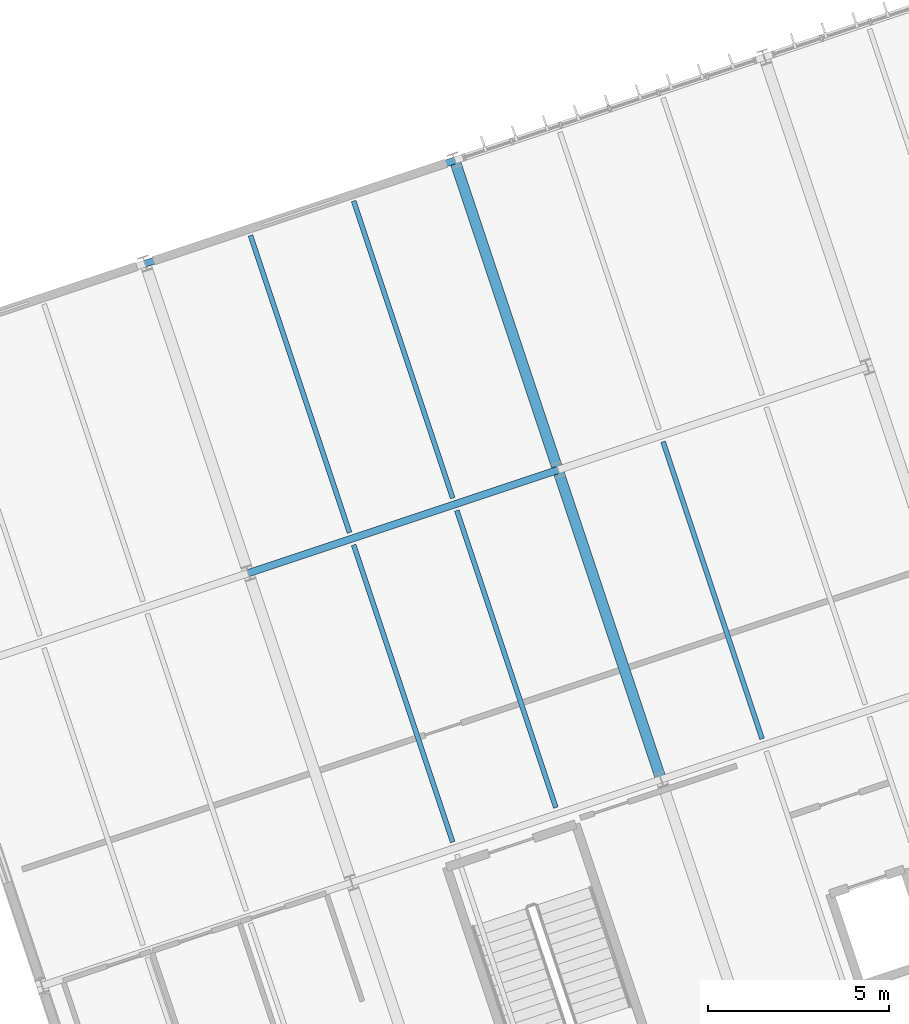
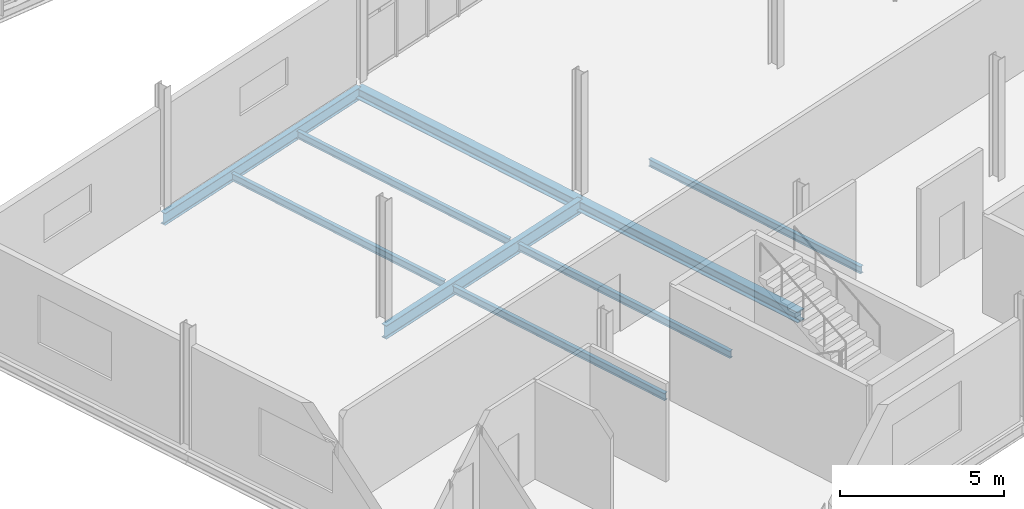
# One storey, part 33 of 152: 9 beams.
"""IFC4 building model written with IfcOpenShell, lengths in metres."""

from ifc_helpers import new_model, si_unit, derived_unit, direction, frame, origin, origin_2d, place, context, subcontext, project, spatial, i_section, extrude, material, material_profile, profile_set, type_object, element, save


model = new_model("IFC4")

# Units and contexts
model_context = context("Model", 3, precision=1e-05, world=origin(), true_north=direction((0.0, 1.0)))
body_context = subcontext(model_context, "Body", "Model", "MODEL_VIEW")
ifc_project = project(units=[si_unit("LENGTHUNIT", "METRE"), si_unit("AREAUNIT", "SQUARE_METRE"), si_unit("VOLUMEUNIT", "CUBIC_METRE"), si_unit("PLANEANGLEUNIT", "RADIAN"), si_unit("MASSUNIT", "GRAM", prefix="KILO"), si_unit("THERMODYNAMICTEMPERATUREUNIT", "KELVIN"), si_unit("TIMEUNIT", "SECOND"), derived_unit("THERMALTRANSMITTANCEUNIT", [(si_unit("MASSUNIT", "GRAM", prefix="KILO"), 1), (si_unit("THERMODYNAMICTEMPERATUREUNIT", "KELVIN"), -1), (si_unit("TIMEUNIT", "SECOND"), -3)])], contexts=[model_context])

# Site, building, storey
site_placement = place(None, origin())
site = spatial("IfcSite", under=ifc_project, at=site_placement, CompositionType="ELEMENT")
building_placement = place(site_placement, origin())
building = spatial("IfcBuilding", under=site, at=building_placement, Name="Cambertide Market Hall", CompositionType="ELEMENT")
storey_placement = place(building_placement, frame((0.0, 0.0, 5.39990234375)))
storey = spatial("IfcBuildingStorey", under=building, at=storey_placement, Name="L02", CompositionType="ELEMENT", Elevation=5.39990234375)

# Beams
ifc_material_1 = material(Name="Steel S355", Category="steel")
ifc_material_profile_1 = material_profile(ifc_material_1, i_section(OverallWidth=0.18994140625, OverallDepth=0.449951171875, WebThickness=0.009521484375, FlangeThickness=0.0146484375, FilletRadius=0.02099609375, at=origin_2d()), Name="IPE 450")
ifc_profile_set_1 = profile_set([ifc_material_profile_1], Name="Steel S355")
beam_type_1 = type_object("IfcBeamType", Name="Perimeter Spandrel Beam IPE 450", PredefinedType="SPANDREL", material=ifc_profile_set_1)
beam_1_placement = place(storey_placement, frame((106.0, 40.46044921875, -0.474853515625), z_axis=(0.948677872554, 0.31624404204, 0.0), x_axis=(-0.31624404204, 0.948677872554, 0.0)))
element("IfcBeam", 1, at=beam_1_placement, inside=storey, type_object=beam_type_1, Name="Level 2 Spandrel BM-V3U-L02-2-4", PredefinedType="SPANDREL", context=body_context, shape_type="SweptSolid", body=[
    extrude(i_section(OverallWidth=0.18994140625, OverallDepth=0.449951171875, WebThickness=0.009521484375, FlangeThickness=0.0146484375, FilletRadius=0.02099609375, at=origin_2d()), origin(), (0.0, 0.0, 1.0), 9.0),
])
ifc_material_2 = material(Name="Steel S355", Category="steel")
ifc_material_profile_2 = material_profile(ifc_material_2, i_section(OverallWidth=0.300048828125, OverallDepth=0.39990234375, WebThickness=0.013427734375, FlangeThickness=0.02392578125, FilletRadius=0.027099609375, at=origin_2d()), Name="HEB 400")
ifc_profile_set_2 = profile_set([ifc_material_profile_2], Name="Steel S355")
beam_type_2 = type_object("IfcBeamType", Name="Steel Girder HEB 400", PredefinedType="BEAM", material=ifc_profile_set_2)
beam_2_placement = place(storey_placement, frame((120.230224609375, 26.230224609375, -0.449951171875), z_axis=(-0.3162196279, 0.948686010717, 0.0), x_axis=(-0.948686010717, -0.3162196279, 0.0)))
element("IfcBeam", 2, at=beam_2_placement, inside=storey, type_object=beam_type_2, Name="Level 2 Beam BM-V3V-L02-3-2", PredefinedType="BEAM", context=body_context, shape_type="SweptSolid", body=[
    extrude(i_section(OverallWidth=0.300048828125, OverallDepth=0.39990234375, WebThickness=0.013427734375, FlangeThickness=0.02392578125, FilletRadius=0.027099609375, at=origin_2d()), origin(), (0.0, 0.0, 1.0), 9.0),
])
beam_3_placement = place(storey_placement, frame((117.38427734375, 34.768310546875, -0.449951171875), z_axis=(-0.316235903831, 0.948680585407, 0.0), x_axis=(-0.948680585407, -0.316235903831, 0.0)))
element("IfcBeam", 3, at=beam_3_placement, inside=storey, type_object=beam_type_2, Name="Level 2 Beam BM-V3V-L02-3-3", PredefinedType="BEAM", context=body_context, shape_type="SweptSolid", body=[
    extrude(i_section(OverallWidth=0.300048828125, OverallDepth=0.39990234375, WebThickness=0.013427734375, FlangeThickness=0.02392578125, FilletRadius=0.027099609375, at=origin_2d()), origin(), (0.0, 0.0, 1.0), 9.000244140625),
])
ifc_material_3 = material(Name="Steel S355", Category="steel")
ifc_material_profile_3 = material_profile(ifc_material_3, i_section(OverallWidth=0.199951171875, OverallDepth=0.5, WebThickness=0.01025390625, FlangeThickness=0.01611328125, FilletRadius=0.02099609375, at=origin_2d()), Name="IPE 500")
ifc_profile_set_3 = profile_set([ifc_material_profile_3], Name="Steel S355")
beam_type_3 = type_object("IfcBeamType", Name="Steel Girder IPE 500", PredefinedType="BEAM", material=ifc_profile_set_3)
beam_4_placement = place(storey_placement, frame((108.845947265625, 31.92236328125, -0.5), z_axis=(0.948688723175, 0.316211490179, 0.0), x_axis=(-0.316211490179, 0.948688723175, 0.0)))
element("IfcBeam", 4, at=beam_4_placement, inside=storey, type_object=beam_type_3, Name="Level 2 Beam BM-V3U-L02-2-3", PredefinedType="BEAM", context=body_context, shape_type="SweptSolid", body=[
    extrude(i_section(OverallWidth=0.199951171875, OverallDepth=0.5, WebThickness=0.01025390625, FlangeThickness=0.01611328125, FilletRadius=0.02099609375, at=origin_2d()), origin(), (0.0, 0.0, 1.0), 9.000244140625),
])
ifc_material_4 = material(Name="Steel S275", Category="steel")
ifc_material_profile_4 = material_profile(ifc_material_4, i_section(OverallWidth=0.135009765625, OverallDepth=0.27001953125, WebThickness=0.006591796875, FlangeThickness=0.01025390625, FilletRadius=0.014892578125, at=origin_2d()), Name="IPE 270")
ifc_profile_set_4 = profile_set([ifc_material_profile_4], Name="Steel S275")
beam_type_4 = type_object("IfcBeamType", Name="Steel Secondary Joist IPE 270", PredefinedType="JOIST", material=ifc_profile_set_4)
for number, where, z_axis, x_axis, name in (
    (5, (114.481201171875, 24.503662109375, -0.385009765625), (-0.316227766017, 0.948683298051, 0.0), (-0.948683298051, -0.316227766017, 0.0), "Level 2 Joist JS-V3-L02-2-2-1"),
    (6, (117.327392578125, 25.452392578125, -0.385009765625), (-0.316253197272, 0.948674820587, 0.0), (-0.948674820587, -0.316253197272, 0.0), "Level 2 Joist JS-V3-L02-2-2-2"),
):
    element("IfcBeam", number, at=place(storey_placement, frame(where, z_axis=z_axis, x_axis=x_axis)), inside=storey, type_object=beam_type_4, Name=name, PredefinedType="JOIST", context=body_context, shape_type="SweptSolid", body=[
        extrude(i_section(OverallWidth=0.135009765625, OverallDepth=0.27001953125, WebThickness=0.006591796875, FlangeThickness=0.01025390625, FilletRadius=0.014892578125, at=origin_2d()), origin(), (0.0, 0.0, 1.0), 8.639892578125),
    ])
beam_5_placement = place(storey_placement, frame((111.63525390625, 33.041748046875, -0.385009765625), z_axis=(-0.316219289033, 0.94868612367, 0.0), x_axis=(-0.94868612367, -0.316219289033, 0.0)))
element("IfcBeam", 7, at=beam_5_placement, inside=storey, type_object=beam_type_4, Name="Level 2 Joist JS-V3-L02-2-3-1", PredefinedType="JOIST", context=body_context, shape_type="SweptSolid", body=[
    extrude(i_section(OverallWidth=0.135009765625, OverallDepth=0.27001953125, WebThickness=0.006591796875, FlangeThickness=0.01025390625, FilletRadius=0.014892578125, at=origin_2d()), origin(), (0.0, 0.0, 1.0), 8.64013671875),
])
beam_6_placement = place(storey_placement, frame((114.481201171875, 33.990478515625, -0.385009765625), z_axis=(-0.316227766017, 0.948683298051, 0.0), x_axis=(-0.948683298051, -0.316227766017, 0.0)))
element("IfcBeam", 8, at=beam_6_placement, inside=storey, type_object=beam_type_4, Name="Level 2 Joist JS-V3-L02-2-3-2", PredefinedType="JOIST", context=body_context, shape_type="SweptSolid", body=[
    extrude(i_section(OverallWidth=0.135009765625, OverallDepth=0.27001953125, WebThickness=0.006591796875, FlangeThickness=0.01025390625, FilletRadius=0.014892578125, at=origin_2d()), origin(), (0.0, 0.0, 1.0), 8.639892578125),
])
beam_7_placement = place(storey_placement, frame((123.019287109375, 27.349609375, -0.385009765625), z_axis=(-0.316219289033, 0.94868612367, 0.0), x_axis=(-0.94868612367, -0.316219289033, 0.0)))
element("IfcBeam", 9, at=beam_7_placement, inside=storey, type_object=beam_type_4, Name="Level 2 Joist JS-V3-L02-3-2-1", PredefinedType="JOIST", context=body_context, shape_type="SweptSolid", body=[
    extrude(i_section(OverallWidth=0.135009765625, OverallDepth=0.27001953125, WebThickness=0.006591796875, FlangeThickness=0.01025390625, FilletRadius=0.014892578125, at=origin_2d()), origin(), (0.0, 0.0, 1.0), 8.64013671875),
])

save(model, "model.ifc")
